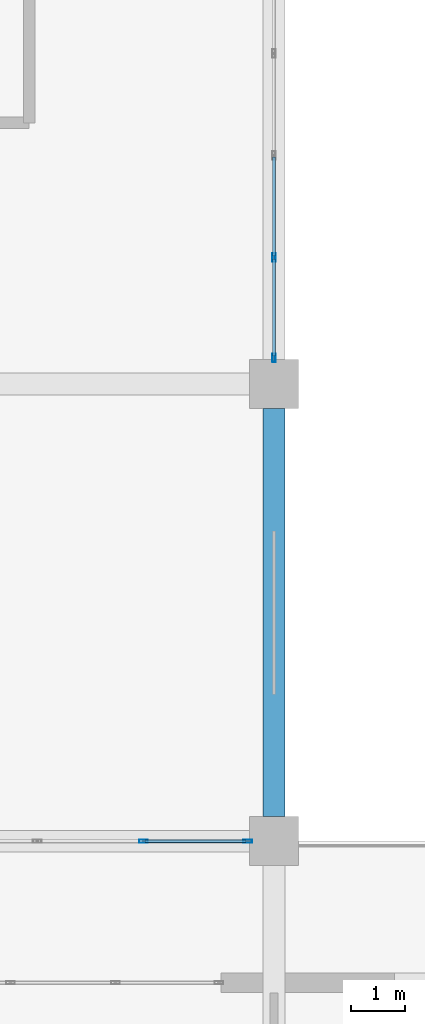
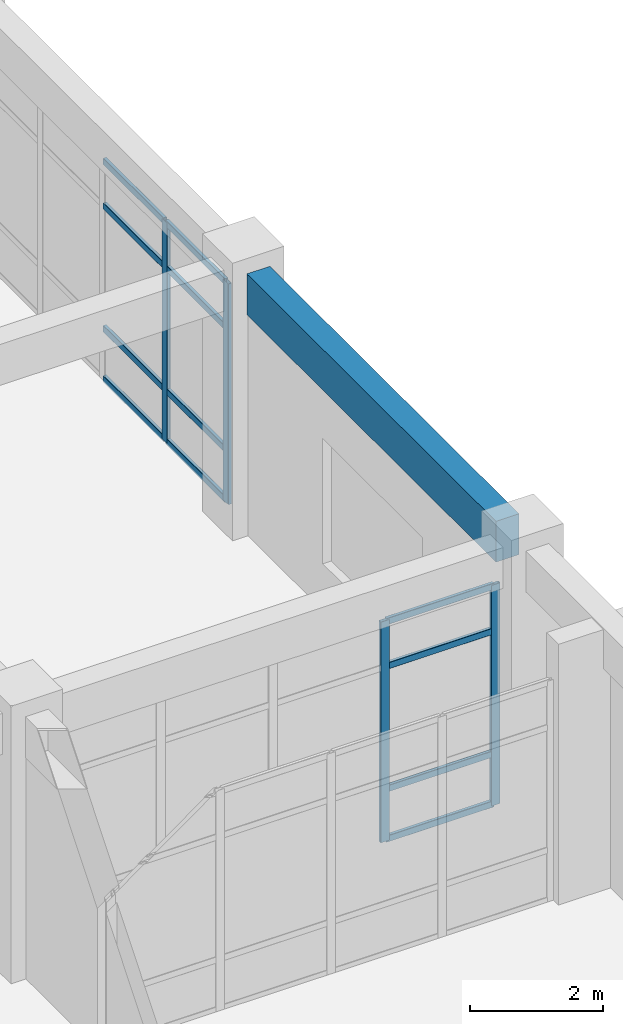
# One storey, part 71 of 120: 16 members, 1 beam, 2 elements without a shape of their own.
"""IFC4 building model written with IfcOpenShell, lengths in metres."""

from ifc_helpers import new_model, si_unit, derived_unit, direction, frame, origin, origin_2d, place, context, subcontext, project, spatial, rectangle, hollow_rectangle, extrude, material, layer, layer_set, material_profile, profile_set, type_object, element, aggregate, save


model = new_model("IFC4")

# Units and contexts
model_context = context("Model", 3, precision=1e-05, world=origin(), true_north=direction((0.0, 1.0)))
body_context = subcontext(model_context, "Body", "Model", "MODEL_VIEW")
ifc_project = project(units=[si_unit("LENGTHUNIT", "METRE"), si_unit("AREAUNIT", "SQUARE_METRE"), si_unit("VOLUMEUNIT", "CUBIC_METRE"), si_unit("PLANEANGLEUNIT", "RADIAN"), si_unit("MASSUNIT", "GRAM", prefix="KILO"), derived_unit("THERMALTRANSMITTANCEUNIT", [(si_unit("MASSUNIT", "GRAM", prefix="KILO"), 1), (si_unit("TIMEUNIT", "SECOND"), -3), (si_unit("THERMODYNAMICTEMPERATUREUNIT", "KELVIN"), -1)])], contexts=[model_context])

# Site, building, storey
site_placement = place(None, origin())
site = spatial("IfcSite", under=ifc_project, at=site_placement, CompositionType="ELEMENT")
building_placement = place(site_placement, origin())
building = spatial("IfcBuilding", under=site, at=building_placement, Name="Qinzheling Arcade Emporium", CompositionType="ELEMENT")
storey_placement = place(building_placement, frame((0.0, 0.0, 11.39990234375)))
storey = spatial("IfcBuildingStorey", under=building, at=storey_placement, Name="L03", CompositionType="ELEMENT", Elevation=11.39990234375)

# Curtain wall, members
ifc_material_1 = material(Name="Anodised aluminium and solar-control double glazing", Category="aluminium")
ifc_layer_1 = layer(ifc_material_1, 0.159912109375, Name="Anodised aluminium and solar-control double glazing", Category="aluminium")
ifc_layer_set_1 = layer_set([ifc_layer_1], Name="Anodised aluminium and solar-control double glazing")
curtain_wall_type_1 = type_object("IfcCurtainWallType", Name="Arcade Portal Glazed Curtain Wall", PredefinedType="NOTDEFINED", material=ifc_layer_set_1)
curtain_wall_1_placement = place(storey_placement, origin())
curtain_wall_1 = element("IfcCurtainWall", 1, at=curtain_wall_1_placement, inside=storey, type_object=curtain_wall_type_1, Name="Curtain Wall CW-L03-203", PredefinedType="NOTDEFINED")
ifc_material_2 = material(Name="Anodised aluminium 6063-T6", Category="aluminium")
ifc_material_profile_1 = material_profile(ifc_material_2, hollow_rectangle(XDim=0.06005859375, YDim=0.159912109375, WallThickness=0.00390625, InnerFilletRadius=0.00390625, OuterFilletRadius=0.008056640625, at=origin_2d()), Name="RHS 160x60x4", Category="aluminium")
ifc_profile_set_1 = profile_set([ifc_material_profile_1], Name="Anodised aluminium 6063-T6")
member_type_1 = type_object("IfcMemberType", Name="Curtain Wall Mullion RHS160x60", PredefinedType="MULLION", material=ifc_profile_set_1)
member_1_placement = place(storey_placement, frame((130.5, 44.325927734375, 0.0), z_axis=(0.0, 0.0, 1.0), x_axis=(1.0, 0.0, 0.0)))
member_1 = element("IfcMember", 2, at=member_1_placement, type_object=member_type_1, Name="CW05 mullion 4", PredefinedType="MULLION", context=body_context, shape_type="SweptSolid", body=[
    extrude(hollow_rectangle(XDim=0.06005859375, YDim=0.159912109375, WallThickness=0.00390625, InnerFilletRadius=0.00390625, OuterFilletRadius=0.008056640625, at=origin_2d()), origin(), (0.0, 0.0, 1.0), 4.05517578125),
])
member_2_placement = place(storey_placement, frame((130.5, 42.48193359375, 0.0), z_axis=(0.0, 0.0, 1.0), x_axis=(1.0, 0.0, 0.0)))
member_2 = element("IfcMember", 3, at=member_2_placement, type_object=member_type_1, Name="CW05 mullion 5", PredefinedType="MULLION", context=body_context, shape_type="SweptSolid", body=[
    extrude(hollow_rectangle(XDim=0.06005859375, YDim=0.159912109375, WallThickness=0.00390625, InnerFilletRadius=0.00390625, OuterFilletRadius=0.008056640625, at=origin_2d()), origin(), (0.0, 0.0, 1.0), 4.05517578125),
])

ifc_layer_2 = layer(ifc_material_1, 0.159912109375, Name="Anodised aluminium and solar-control double glazing", Category="aluminium")
ifc_layer_set_2 = layer_set([ifc_layer_2], Name="Anodised aluminium and solar-control double glazing")
curtain_wall_type_2 = type_object("IfcCurtainWallType", Name="Food Hall Loggia Curtain Wall", PredefinedType="NOTDEFINED", material=ifc_layer_set_2)
curtain_wall_2_placement = place(storey_placement, origin())
curtain_wall_2 = element("IfcCurtainWall", 4, at=curtain_wall_2_placement, inside=storey, type_object=curtain_wall_type_2, Name="Curtain Wall CW-L03-204", PredefinedType="NOTDEFINED")
member_3_placement = place(storey_placement, frame((130.01806640625, 33.60009765625, 0.0), z_axis=(0.0, 0.0, 1.0), x_axis=(0.0, -1.0, 0.0)))
member_3 = element("IfcMember", 5, at=member_3_placement, type_object=member_type_1, Name="CW04 mullion 1", PredefinedType="MULLION", context=body_context, shape_type="SweptSolid", body=[
    extrude(hollow_rectangle(XDim=0.06005859375, YDim=0.159912109375, WallThickness=0.00390625, InnerFilletRadius=0.00390625, OuterFilletRadius=0.008056640625, at=origin_2d()), origin(), (0.0, 0.0, 1.0), 4.05517578125),
])
member_4_placement = place(storey_placement, frame((128.09912109375, 33.60009765625, 0.0), z_axis=(0.0, 0.0, 1.0), x_axis=(0.0, -1.0, 0.0)))
member_4 = element("IfcMember", 6, at=member_4_placement, type_object=member_type_1, Name="CW04 mullion 2", PredefinedType="MULLION", context=body_context, shape_type="SweptSolid", body=[
    extrude(hollow_rectangle(XDim=0.06005859375, YDim=0.159912109375, WallThickness=0.00390625, InnerFilletRadius=0.00390625, OuterFilletRadius=0.008056640625, at=origin_2d()), origin(), (0.0, 0.0, 1.0), 4.05517578125),
])

# Member
ifc_material_profile_2 = material_profile(ifc_material_2, hollow_rectangle(XDim=0.06005859375, YDim=0.1201171875, WallThickness=0.00390625, InnerFilletRadius=0.00390625, OuterFilletRadius=0.008056640625, at=origin_2d()), Name="RHS 120x60x4", Category="aluminium")
ifc_profile_set_2 = profile_set([ifc_material_profile_2], Name="Anodised aluminium 6063-T6")
member_type_2 = type_object("IfcMemberType", Name="Curtain Wall Transom RHS120x60", PredefinedType="USERDEFINED", material=ifc_profile_set_2)
member_5_placement = place(storey_placement, frame((130.5, 46.169921875, 0.030029296875), z_axis=(0.0, -1.0, 0.0), x_axis=(1.0, 0.0, 0.0)))
member_5 = element("IfcMember", 7, at=member_5_placement, type_object=member_type_2, Name="CW05 transom 3.1", ObjectType="TRANSOM", PredefinedType="USERDEFINED", context=body_context, shape_type="SweptSolid", body=[
    extrude(hollow_rectangle(XDim=0.06005859375, YDim=0.1201171875, WallThickness=0.00390625, InnerFilletRadius=0.00390625, OuterFilletRadius=0.008056640625, at=origin_2d()), origin(), (0.0, 0.0, 1.0), 1.81396484375),
])

member_6_placement = place(storey_placement, frame((130.5, 46.169921875, 0.9501953125), z_axis=(0.0, -1.0, 0.0), x_axis=(1.0, 0.0, 0.0)))
member_6 = element("IfcMember", 8, at=member_6_placement, type_object=member_type_2, Name="CW05 transom 3.2", ObjectType="TRANSOM", PredefinedType="USERDEFINED", context=body_context, shape_type="SweptSolid", body=[
    extrude(hollow_rectangle(XDim=0.06005859375, YDim=0.1201171875, WallThickness=0.00390625, InnerFilletRadius=0.00390625, OuterFilletRadius=0.008056640625, at=origin_2d()), origin(), (0.0, 0.0, 1.0), 1.81396484375),
])

member_7_placement = place(storey_placement, frame((130.5, 46.169921875, 3.205078125), z_axis=(0.0, -1.0, 0.0), x_axis=(1.0, 0.0, 0.0)))
member_7 = element("IfcMember", 9, at=member_7_placement, type_object=member_type_2, Name="CW05 transom 3.3", ObjectType="TRANSOM", PredefinedType="USERDEFINED", context=body_context, shape_type="SweptSolid", body=[
    extrude(hollow_rectangle(XDim=0.06005859375, YDim=0.1201171875, WallThickness=0.00390625, InnerFilletRadius=0.00390625, OuterFilletRadius=0.008056640625, at=origin_2d()), origin(), (0.0, 0.0, 1.0), 1.81396484375),
])

member_8_placement = place(storey_placement, frame((130.5, 46.169921875, 4.025146484375), z_axis=(0.0, -1.0, 0.0), x_axis=(1.0, 0.0, 0.0)))
member_8 = element("IfcMember", 10, at=member_8_placement, type_object=member_type_2, Name="CW05 transom 3.4", ObjectType="TRANSOM", PredefinedType="USERDEFINED", context=body_context, shape_type="SweptSolid", body=[
    extrude(hollow_rectangle(XDim=0.06005859375, YDim=0.1201171875, WallThickness=0.00390625, InnerFilletRadius=0.00390625, OuterFilletRadius=0.008056640625, at=origin_2d()), origin(), (0.0, 0.0, 1.0), 1.81396484375),
])

member_9_placement = place(storey_placement, frame((130.5, 44.2958984375, 0.030029296875), z_axis=(0.0, -1.0, 0.0), x_axis=(1.0, 0.0, 0.0)))
member_9 = element("IfcMember", 11, at=member_9_placement, type_object=member_type_2, Name="CW05 transom 4.1", ObjectType="TRANSOM", PredefinedType="USERDEFINED", context=body_context, shape_type="SweptSolid", body=[
    extrude(hollow_rectangle(XDim=0.06005859375, YDim=0.1201171875, WallThickness=0.00390625, InnerFilletRadius=0.00390625, OuterFilletRadius=0.008056640625, at=origin_2d()), origin(), (0.0, 0.0, 1.0), 1.783935546875),
])

member_10_placement = place(storey_placement, frame((130.5, 44.2958984375, 0.9501953125), z_axis=(0.0, -1.0, 0.0), x_axis=(1.0, 0.0, 0.0)))
member_10 = element("IfcMember", 12, at=member_10_placement, type_object=member_type_2, Name="CW05 transom 4.2", ObjectType="TRANSOM", PredefinedType="USERDEFINED", context=body_context, shape_type="SweptSolid", body=[
    extrude(hollow_rectangle(XDim=0.06005859375, YDim=0.1201171875, WallThickness=0.00390625, InnerFilletRadius=0.00390625, OuterFilletRadius=0.008056640625, at=origin_2d()), origin(), (0.0, 0.0, 1.0), 1.783935546875),
])

member_11_placement = place(storey_placement, frame((130.5, 44.2958984375, 3.205078125), z_axis=(0.0, -1.0, 0.0), x_axis=(1.0, 0.0, 0.0)))
member_11 = element("IfcMember", 13, at=member_11_placement, type_object=member_type_2, Name="CW05 transom 4.3", ObjectType="TRANSOM", PredefinedType="USERDEFINED", context=body_context, shape_type="SweptSolid", body=[
    extrude(hollow_rectangle(XDim=0.06005859375, YDim=0.1201171875, WallThickness=0.00390625, InnerFilletRadius=0.00390625, OuterFilletRadius=0.008056640625, at=origin_2d()), origin(), (0.0, 0.0, 1.0), 1.783935546875),
])

member_12_placement = place(storey_placement, frame((130.5, 44.2958984375, 4.025146484375), z_axis=(0.0, -1.0, 0.0), x_axis=(1.0, 0.0, 0.0)))
member_12 = element("IfcMember", 14, at=member_12_placement, type_object=member_type_2, Name="CW05 transom 4.4", ObjectType="TRANSOM", PredefinedType="USERDEFINED", context=body_context, shape_type="SweptSolid", body=[
    extrude(hollow_rectangle(XDim=0.06005859375, YDim=0.1201171875, WallThickness=0.00390625, InnerFilletRadius=0.00390625, OuterFilletRadius=0.008056640625, at=origin_2d()), origin(), (0.0, 0.0, 1.0), 1.783935546875),
])

aggregate(curtain_wall_1, [member_1, member_2, member_5, member_6, member_7, member_8, member_9, member_10, member_11, member_12])

member_13_placement = place(storey_placement, frame((129.988037109375, 33.60009765625, 0.030029296875), z_axis=(-1.0, 0.0, 0.0), x_axis=(0.0, -1.0, 0.0)))
member_13 = element("IfcMember", 15, at=member_13_placement, type_object=member_type_2, Name="CW04 transom 1.1", ObjectType="TRANSOM", PredefinedType="USERDEFINED", context=body_context, shape_type="SweptSolid", body=[
    extrude(hollow_rectangle(XDim=0.06005859375, YDim=0.1201171875, WallThickness=0.00390625, InnerFilletRadius=0.00390625, OuterFilletRadius=0.008056640625, at=origin_2d()), origin(), (0.0, 0.0, 1.0), 1.859130859375),
])

member_14_placement = place(storey_placement, frame((129.988037109375, 33.60009765625, 0.9501953125), z_axis=(-1.0, 0.0, 0.0), x_axis=(0.0, -1.0, 0.0)))
member_14 = element("IfcMember", 16, at=member_14_placement, type_object=member_type_2, Name="CW04 transom 1.2", ObjectType="TRANSOM", PredefinedType="USERDEFINED", context=body_context, shape_type="SweptSolid", body=[
    extrude(hollow_rectangle(XDim=0.06005859375, YDim=0.1201171875, WallThickness=0.00390625, InnerFilletRadius=0.00390625, OuterFilletRadius=0.008056640625, at=origin_2d()), origin(), (0.0, 0.0, 1.0), 1.859130859375),
])

member_15_placement = place(storey_placement, frame((129.988037109375, 33.60009765625, 3.205078125), z_axis=(-1.0, 0.0, 0.0), x_axis=(0.0, -1.0, 0.0)))
member_15 = element("IfcMember", 17, at=member_15_placement, type_object=member_type_2, Name="CW04 transom 1.3", ObjectType="TRANSOM", PredefinedType="USERDEFINED", context=body_context, shape_type="SweptSolid", body=[
    extrude(hollow_rectangle(XDim=0.06005859375, YDim=0.1201171875, WallThickness=0.00390625, InnerFilletRadius=0.00390625, OuterFilletRadius=0.008056640625, at=origin_2d()), origin(), (0.0, 0.0, 1.0), 1.859130859375),
])

member_16_placement = place(storey_placement, frame((129.988037109375, 33.60009765625, 4.025146484375), z_axis=(-1.0, 0.0, 0.0), x_axis=(0.0, -1.0, 0.0)))
member_16 = element("IfcMember", 18, at=member_16_placement, type_object=member_type_2, Name="CW04 transom 1.4", ObjectType="TRANSOM", PredefinedType="USERDEFINED", context=body_context, shape_type="SweptSolid", body=[
    extrude(hollow_rectangle(XDim=0.06005859375, YDim=0.1201171875, WallThickness=0.00390625, InnerFilletRadius=0.00390625, OuterFilletRadius=0.008056640625, at=origin_2d()), origin(), (0.0, 0.0, 1.0), 1.859130859375),
])

aggregate(curtain_wall_2, [member_3, member_4, member_13, member_14, member_15, member_16])

# Beam
ifc_material_3 = material(Name="Concrete C40", Category="concrete")
ifc_material_profile_3 = material_profile(ifc_material_3, rectangle(XDim=0.39990234375, YDim=0.75, at=origin_2d()), Name="RC 400x750", Category="concrete")
ifc_profile_set_3 = profile_set([ifc_material_profile_3], Name="Concrete C40")
beam_type = type_object("IfcBeamType", Name="RC Interior Tie Beam 400x750 C40", PredefinedType="BEAM", material=ifc_profile_set_3)
beam_placement = place(storey_placement, frame((130.5, 34.050048828125, 4.445068359375), z_axis=(0.0, 1.0, 0.0), x_axis=(-1.0, 0.0, 0.0)))
element("IfcBeam", 19, at=beam_placement, inside=storey, type_object=beam_type, Name="Beam BM-L03-Y-16-E", PredefinedType="BEAM", context=body_context, shape_type="SweptSolid", body=[
    extrude(rectangle(XDim=0.39990234375, YDim=0.75, at=origin_2d()), origin(), (0.0, 0.0, 1.0), 7.5),
])

save(model, "model.ifc")
